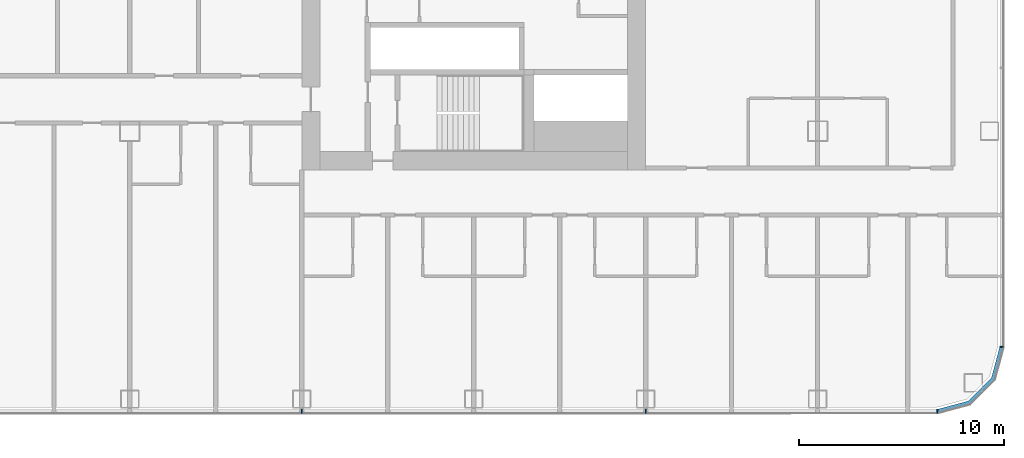
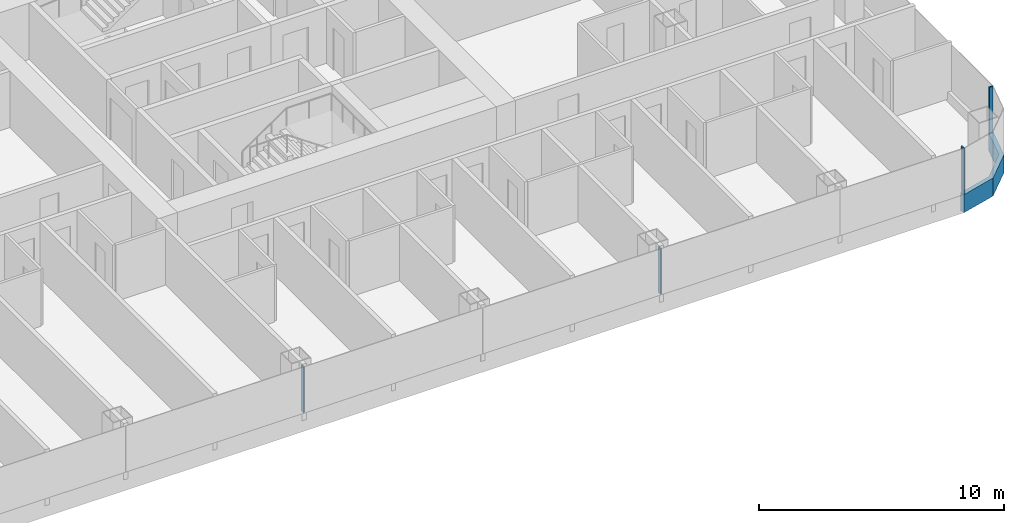
# One storey, part 9 of 29: 5 members, 3 elements without a shape of their own.
"""IFC4 building model written with IfcOpenShell, lengths in metres."""

from ifc_helpers import new_model, si_unit, direction, frame, origin, origin_2d, place, context, subcontext, project, spatial, polyline, rectangle, outline, extrude, material, layer, layer_set, material_profile, profile_set, type_object, element, aggregate, save


model = new_model("IFC4")

# Units and contexts
model_context = context("Model", 3, precision=1e-05, world=origin(), true_north=direction((0.0, 1.0)))
body_context = subcontext(model_context, "Body", "Model", "MODEL_VIEW")
ifc_project = project(units=[si_unit("LENGTHUNIT", "METRE"), si_unit("AREAUNIT", "SQUARE_METRE"), si_unit("VOLUMEUNIT", "CUBIC_METRE"), si_unit("PLANEANGLEUNIT", "RADIAN"), si_unit("MASSUNIT", "GRAM", prefix="KILO")], contexts=[model_context])

# Site, building, storey
site_placement = place(None, origin())
site = spatial("IfcSite", under=ifc_project, at=site_placement, CompositionType="ELEMENT")
building_placement = place(site_placement, origin())
building = spatial("IfcBuilding", under=site, at=building_placement, Name="Hakoniwa Tower and Hamabe Station Hall", CompositionType="ELEMENT")
storey_placement = place(building_placement, frame((0.0, 0.0, 55.0)))
storey = spatial("IfcBuildingStorey", under=building, at=storey_placement, Name="L15", CompositionType="ELEMENT", Elevation=55.0)

# Curtain wall, member
ifc_material_1 = material(Name="Dark low-e laminated glass", Category="glass")
ifc_layer = layer(ifc_material_1, 0.199951171875)
ifc_layer_set = layer_set([ifc_layer], Name="CW-1 UNITISED GUEST")
curtain_wall_type = type_object("IfcCurtainWallType", Name="CW-1 UNITISED GUEST", PredefinedType="NOTDEFINED", material=ifc_layer_set)
curtain_wall_1_placement = place(storey_placement, origin())
curtain_wall_1 = element("IfcCurtainWall", 1, at=curtain_wall_1_placement, inside=storey, type_object=curtain_wall_type, Name="CW-1 curtain wall", PredefinedType="NOTDEFINED")
ifc_material_2 = material(Name="Aluminium 6063-T5 black anodised", Category="aluminium")
ifc_material_profile_1 = material_profile(ifc_material_2, rectangle(XDim=0.199951171875, YDim=0.89990234375, at=origin_2d()), Name="CW SLAB-EDGE BAND 900X200")
ifc_profile_set_1 = profile_set([ifc_material_profile_1], Name="Aluminium 6063-T5 black anodised")
member_type_1 = type_object("IfcMemberType", Name="CW SLAB-EDGE BAND 900X200", PredefinedType="USERDEFINED", material=ifc_profile_set_1)
member_1_placement = place(storey_placement, frame((0.0, 0.0, -0.550048828125)))
member_1 = element("IfcMember", 2, at=member_1_placement, type_object=member_type_1, Name="CW-1 transom", ObjectType="TRANSOM", PredefinedType="USERDEFINED", context=body_context, shape_type="SweptSolid", body=[
    extrude(outline(polyline([(47.839599609375, -20.300048828125), (49.455322265625, -19.866943359375), (50.6669921875, -18.6552734375), (51.10009765625, -17.03955078125), (50.90673828125, -16.98779296875), (50.48779296875, -18.5517578125), (49.351806640625, -19.687744140625), (47.787841796875, -20.10693359375), (47.839599609375, -20.300048828125)])), origin(), (0.0, 0.0, 1.0), 0.900146484375),
])
aggregate(curtain_wall_1, [member_1])

curtain_wall_2_placement = place(storey_placement, origin())
curtain_wall_2 = element("IfcCurtainWall", 3, at=curtain_wall_2_placement, inside=storey, type_object=curtain_wall_type, Name="CW-1 curtain wall", PredefinedType="NOTDEFINED")
ifc_material_3 = material(Name="Aluminium 6063-T5 black anodised", Category="aluminium")
ifc_material_profile_2 = material_profile(ifc_material_3, rectangle(XDim=0.06005859375, YDim=0.179931640625, at=origin_2d()), Name="CW-1 MULLION 60X180")
ifc_profile_set_2 = profile_set([ifc_material_profile_2], Name="Aluminium 6063-T5 black anodised")
member_type_2 = type_object("IfcMemberType", Name="CW-1 MULLION 60X180", PredefinedType="MULLION", material=ifc_profile_set_2)
member_2_placement = place(storey_placement, frame((50.98193359375, -17.03955078125, 0.35009765625), z_axis=(0.0, 0.0, 1.0), x_axis=(0.0, 1.0, 0.0)))
member_2 = element("IfcMember", 4, at=member_2_placement, type_object=member_type_2, Name="CW-1 mullion", PredefinedType="MULLION", context=body_context, shape_type="SweptSolid", body=[
    extrude(rectangle(XDim=0.06005859375, YDim=0.179931640625, at=origin_2d()), origin(), (0.0, 0.0, 1.0), 2.2998046875),
])
aggregate(curtain_wall_2, [member_2])

# Curtain wall, members
curtain_wall_3_placement = place(storey_placement, origin())
curtain_wall_3 = element("IfcCurtainWall", 5, at=curtain_wall_3_placement, inside=storey, type_object=curtain_wall_type, Name="CW-1 curtain wall", PredefinedType="NOTDEFINED")
member_3_placement = place(storey_placement, frame((16.800048828125, -20.181884765625, 0.35009765625), z_axis=(0.0, 0.0, 1.0), x_axis=(1.0, 0.0, 0.0)))
member_3 = element("IfcMember", 6, at=member_3_placement, type_object=member_type_2, Name="CW-1 mullion", PredefinedType="MULLION", context=body_context, shape_type="SweptSolid", body=[
    extrude(rectangle(XDim=0.06005859375, YDim=0.179931640625, at=origin_2d()), origin(), (0.0, 0.0, 1.0), 2.2998046875),
])
member_4_placement = place(storey_placement, frame((33.60009765625, -20.181884765625, 0.35009765625), z_axis=(0.0, 0.0, 1.0), x_axis=(1.0, 0.0, 0.0)))
member_4 = element("IfcMember", 7, at=member_4_placement, type_object=member_type_2, Name="CW-1 mullion", PredefinedType="MULLION", context=body_context, shape_type="SweptSolid", body=[
    extrude(rectangle(XDim=0.06005859375, YDim=0.179931640625, at=origin_2d()), origin(), (0.0, 0.0, 1.0), 2.2998046875),
])
member_5_placement = place(storey_placement, frame((47.839599609375, -20.181884765625, 0.35009765625), z_axis=(0.0, 0.0, 1.0), x_axis=(1.0, 0.0, 0.0)))
member_5 = element("IfcMember", 8, at=member_5_placement, type_object=member_type_2, Name="CW-1 mullion", PredefinedType="MULLION", context=body_context, shape_type="SweptSolid", body=[
    extrude(rectangle(XDim=0.06005859375, YDim=0.179931640625, at=origin_2d()), origin(), (0.0, 0.0, 1.0), 2.2998046875),
])
aggregate(curtain_wall_3, [member_3, member_4, member_5])

save(model, "model.ifc")
